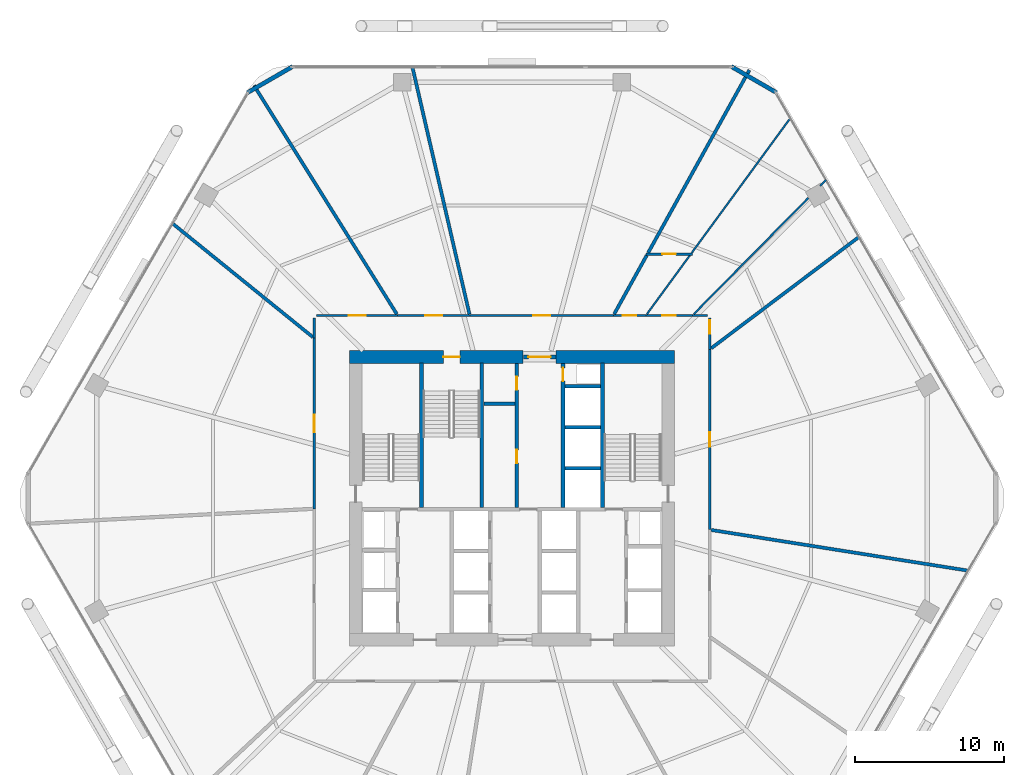
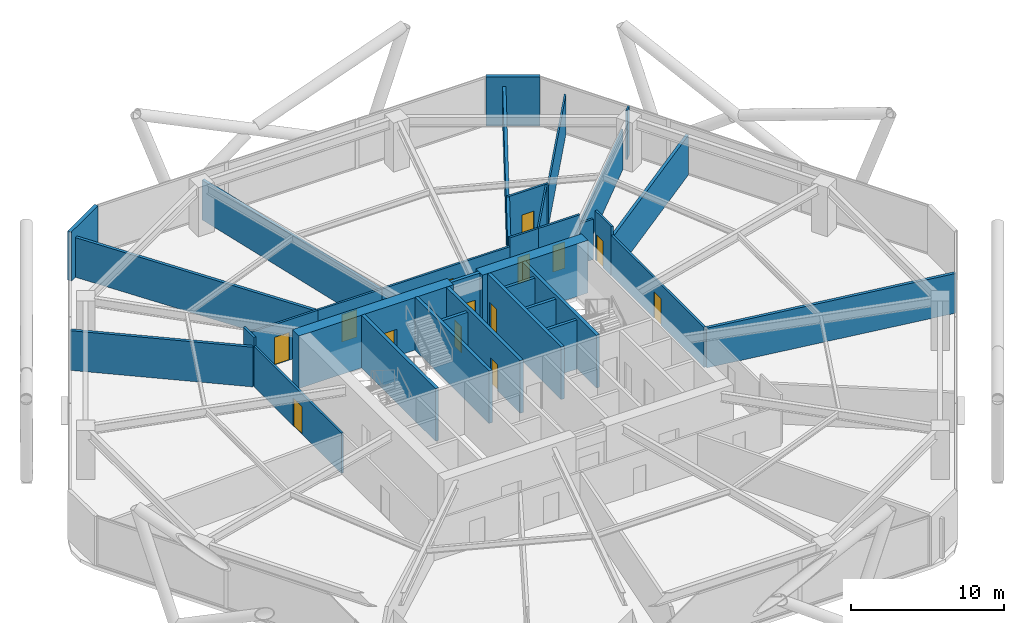
# One storey, part 26 of 30: 36 walls, 14 doors, 14 openings.
"""IFC4 building model written with IfcOpenShell, lengths in metres."""

import ifcopenshell
import ifcopenshell.guid

model = None  # the IFC model being written
_history = None  # IfcOwnerHistory: only IFC2X3 demands one
_inside = {}  # id of a spatial element -> (the spatial element, [elements in it])
_under = {}  # id of a project, library or spatial element -> (it, [spatial elements below it])
_declared = {}  # id of a project -> (the project, [libraries it declares])
_typed = {}  # id of a type object -> (the type object, [elements of that type])
_made_of = {}  # id of a material, layer set ... -> (it, [elements and type objects made of it])


def new_model(schema):
    """Start an empty IFC model of exactly this schema.

    Asked for "IFC4X3", IfcOpenShell would pick the latest addendum, in which some entities
    have other attributes; the version numbers below select the first issue.
    IFC2X3 requires an IfcOwnerHistory on every rooted entity: one is made here for all.
    """
    global model, _history
    if schema == "IFC4X3":
        model = ifcopenshell.file(schema_version=(4, 3, 0, 0))
    else:
        model = ifcopenshell.file(schema=schema)
    _inside.clear()
    _under.clear()
    _declared.clear()
    _typed.clear()
    _made_of.clear()
    _history = None
    if model.schema == "IFC2X3":
        org = make("IfcOrganization", Name="unknown")
        user = make(
            "IfcPersonAndOrganization",
            ThePerson=make("IfcPerson", FamilyName="unknown"),
            TheOrganization=org,
        )
        app = make(
            "IfcApplication",
            ApplicationDeveloper=org,
            Version="unknown",
            ApplicationFullName="unknown",
            ApplicationIdentifier="unknown",
        )
        _history = make(
            "IfcOwnerHistory",
            OwningUser=user,
            OwningApplication=app,
            ChangeAction="ADDED",
            CreationDate=0,
        )
    return model


def make(cls, **values):
    """One entity of the class cls with the attributes given. An attribute that is None is left unset."""
    return model.create_entity(
        cls, **{name: value for name, value in values.items() if value is not None}
    )


def rooted(cls, **values):
    """An entity with a GlobalId (a new one), such as an element, a storey or a relation."""
    return make(cls, GlobalId=ifcopenshell.guid.new(), OwnerHistory=_history, **values)


def si_unit(unit_type, name, prefix=None):
    """IfcSIUnit, for example si_unit("LENGTHUNIT", "METRE", prefix="MILLI")."""
    return make("IfcSIUnit", UnitType=unit_type, Prefix=prefix, Name=name)


def assignment(units):
    """IfcUnitAssignment: the units of a project."""
    return None if units is None else make("IfcUnitAssignment", Units=units)


def point(xyz):
    """IfcCartesianPoint."""
    return None if xyz is None else make("IfcCartesianPoint", Coordinates=xyz)


def direction(xyz):
    """IfcDirection."""
    return None if xyz is None else make("IfcDirection", DirectionRatios=xyz)


def frame(location, z_axis=None, x_axis=None):
    """IfcAxis2Placement3D, a coordinate frame: its origin and axes. An axis left out is left unset."""
    return make(
        "IfcAxis2Placement3D",
        Location=point(location),
        Axis=direction(z_axis),
        RefDirection=direction(x_axis),
    )


def frame_2d(location, x_axis=None):
    """IfcAxis2Placement2D, a coordinate frame in the plane: its origin and x axis."""
    return make(
        "IfcAxis2Placement2D", Location=point(location), RefDirection=direction(x_axis)
    )


def origin():
    """The frame at (0, 0, 0) with its axes left unset."""
    return frame((0.0, 0.0, 0.0))


def place(relative_to, where):
    """IfcLocalPlacement: puts the frame where relative to a parent placement (None: the world)."""
    return make(
        "IfcLocalPlacement", PlacementRelTo=relative_to, RelativePlacement=where
    )


def context(
    kind, dimensions, precision=None, world=None, true_north=None, identifier=None
):
    """IfcGeometricRepresentationContext, for example the 3D "Model" context."""
    return make(
        "IfcGeometricRepresentationContext",
        ContextIdentifier=identifier,
        ContextType=kind,
        CoordinateSpaceDimension=dimensions,
        Precision=precision,
        WorldCoordinateSystem=world,
        TrueNorth=true_north,
    )


def subcontext(parent, identifier, kind, view, scale=None):
    """IfcGeometricRepresentationSubContext, for example "Body" below "Model"."""
    return make(
        "IfcGeometricRepresentationSubContext",
        ContextIdentifier=identifier,
        ContextType=kind,
        ParentContext=parent,
        TargetScale=scale,
        TargetView=view,
    )


def project(units=None, contexts=None):
    """IfcProject with its units and contexts."""
    return rooted(
        "IfcProject",
        Name="project",
        RepresentationContexts=contexts,
        UnitsInContext=assignment(units),
    )


def spatial(cls, under=None, at=None, **own):
    """A site, building, storey or space (cls), placed at a placement, below another one or the project."""
    s = rooted(cls, ObjectPlacement=at, **own)
    if under is not None:
        _under.setdefault(under.id(), (under, []))[1].append(s)
    return s


def profile(cls, at=None, kind="AREA", **sizes):
    """A parametric profile (cls). Its sizes go by their IFC names, for example OverallWidth=200.0."""
    return make(cls, ProfileType=kind, Position=at, **sizes)


def rectangle(**sizes):
    """IfcRectangleProfileDef."""
    return profile("IfcRectangleProfileDef", **sizes)


def extrude(swept, where, along, depth):
    """IfcExtrudedAreaSolid: the profile swept, set in the frame where, extruded along a direction by depth."""
    return make(
        "IfcExtrudedAreaSolid",
        SweptArea=swept,
        Position=where,
        ExtrudedDirection=direction(along),
        Depth=depth,
    )


def shape(context_of_items, identifier, shape_type, items):
    """IfcShapeRepresentation: the items that make up one representation, for example the "Body"."""
    return make(
        "IfcShapeRepresentation",
        ContextOfItems=context_of_items,
        RepresentationIdentifier=identifier,
        RepresentationType=shape_type,
        Items=items,
    )


def material(Name=None, Category=None):
    """IfcMaterial."""
    return make("IfcMaterial", Name=Name, Category=Category)


def layer(
    of_material, thickness, ventilated=None, Name=None, Category=None, Priority=None
):
    """IfcMaterialLayer: one layer of a wall or slab, of a material (None: an air gap)."""
    return make(
        "IfcMaterialLayer",
        Material=of_material,
        LayerThickness=thickness,
        IsVentilated=ventilated,
        Name=Name,
        Category=Category,
        Priority=Priority,
    )


def layer_set(layers, Name=None):
    """IfcMaterialLayerSet."""
    return make("IfcMaterialLayerSet", MaterialLayers=layers, LayerSetName=Name)


def made_of(thing, what):
    """Note that an element or type object is made of a material, layer set ...; save() writes the relation."""
    if what is not None:
        _made_of.setdefault(what.id(), (what, []))[1].append(thing)
    return thing


def type_object(cls, material=None, **own):
    """A type object (cls), such as IfcWallType, which elements share."""
    return made_of(rooted(cls, **own), material)


def element(
    cls,
    number,
    at=None,
    inside=None,
    cuts=None,
    type_object=None,
    material=None,
    context=None,
    identifier="Body",
    shape_type=None,
    held_by="IfcProductDefinitionShape",
    body=None,
    shapes=None,
    **own,
):
    """One element of the class cls, such as IfcWall. Its Tag is "e" and its number.

    at: its placement. inside: the storey or other place that contains it. cuts: it is an
    opening in that element (IfcRelVoidsElement). A single representation is given by context,
    identifier, shape_type and body (its items); several are given by shapes. held_by: the class
    of the entity that holds the representations. save() writes the other relations.
    """
    e = rooted(cls, Tag="e%d" % number, ObjectPlacement=at, **own)
    if body is not None:
        shapes = [shape(context, identifier, shape_type, body)]
    if shapes is not None:
        e.Representation = make(held_by, Representations=shapes)
    if inside is not None:
        _inside.setdefault(inside.id(), (inside, []))[1].append(e)
    if cuts is not None:
        rooted(
            "IfcRelVoidsElement", RelatingBuildingElement=cuts, RelatedOpeningElement=e
        )
    if type_object is not None:
        _typed.setdefault(type_object.id(), (type_object, []))[1].append(e)
    return made_of(e, material)


def fill(opening, filler):
    """IfcRelFillsElement: the door or window that sits in an opening."""
    return rooted(
        "IfcRelFillsElement",
        RelatingOpeningElement=opening,
        RelatedBuildingElement=filler,
    )


def aggregate(whole, parts):
    """IfcRelAggregates: a whole, such as a stair, and the parts it consists of."""
    return rooted("IfcRelAggregates", RelatingObject=whole, RelatedObjects=parts)


def save(model, path):
    """Write the relations noted so far, then the file.

    IfcRelAggregates (storeys below a building ...), IfcRelContainedInSpatialStructure (elements
    in a storey), IfcRelDefinesByType, IfcRelAssociatesMaterial and IfcRelDeclares: one each for
    every whole, place, type object, material and project.
    """
    for whole, parts in _under.values():
        aggregate(whole, parts)
    for where, things in _inside.values():
        rooted(
            "IfcRelContainedInSpatialStructure",
            RelatedElements=things,
            RelatingStructure=where,
        )
    for kind, things in _typed.values():
        rooted("IfcRelDefinesByType", RelatedObjects=things, RelatingType=kind)
    for what, things in _made_of.values():
        rooted("IfcRelAssociatesMaterial", RelatedObjects=things, RelatingMaterial=what)
    for by, libraries in _declared.values():
        rooted("IfcRelDeclares", RelatingContext=by, RelatedDefinitions=libraries)
    model.write(path)


model = new_model("IFC4")

# Units and contexts
model_context = context("Model", 3, precision=1e-05, world=origin(), true_north=direction((0.0, 1.0)))
body_context = subcontext(model_context, "Body", "Model", "MODEL_VIEW")
ifc_project = project(units=[si_unit("LENGTHUNIT", "METRE"), si_unit("AREAUNIT", "SQUARE_METRE"), si_unit("VOLUMEUNIT", "CUBIC_METRE"), si_unit("PLANEANGLEUNIT", "RADIAN"), si_unit("MASSUNIT", "GRAM", prefix="KILO")], contexts=[model_context])

# Site, building, storey
site_placement = place(None, origin())
site = spatial("IfcSite", under=ifc_project, at=site_placement, CompositionType="ELEMENT")
building_placement = place(site_placement, origin())
building = spatial("IfcBuilding", under=site, at=building_placement, Name="Zuhravey Tower", CompositionType="ELEMENT")
storey_placement = place(building_placement, frame((0.0, 0.0, 33.0)))
storey = spatial("IfcBuildingStorey", under=building, at=storey_placement, Name="L08", CompositionType="ELEMENT", Elevation=33.0)

# Wall
ifc_material_1 = material(Name="Concrete C60/75", Category="concrete")
ifc_layer_1 = layer(ifc_material_1, 0.85009765625)
ifc_layer_set_1 = layer_set([ifc_layer_1], Name="Concrete C60/75")
wall_type_1 = type_object("IfcWallType", Name="Core Shear Wall 850", PredefinedType="SHEAR", material=ifc_layer_set_1)
wall_1_placement = place(storey_placement, frame((46.925048828125, 41.5, 0.0), z_axis=(0.0, 0.0, 1.0), x_axis=(-1.0, 0.0, 0.0)))
element("IfcWall", 1, at=wall_1_placement, inside=storey, type_object=wall_type_1, Name="L08 North-East Core Shear Wall CW85", PredefinedType="SHEAR", context=body_context, shape_type="SweptSolid", body=[
    extrude(rectangle(XDim=7.97509765625, YDim=0.85009765625, at=frame_2d((3.987548828125, 0.0))), origin(), (0.0, 0.0, 1.0), 4.199951171875),
])

# Wall, opening, door
wall_2_placement = place(storey_placement, frame((36.75, 41.5, 0.0), z_axis=(0.0, 0.0, 1.0), x_axis=(-1.0, 0.0, 0.0)))
wall_2 = element("IfcWall", 2, at=wall_2_placement, inside=storey, type_object=wall_type_1, Name="L08 North-West Core Shear Wall CW85", PredefinedType="SHEAR", context=body_context, shape_type="SweptSolid", body=[
    extrude(rectangle(XDim=11.675048828125, YDim=0.85009765625, at=frame_2d((5.83740234375, 0.0))), origin(), (0.0, 0.0, 1.0), 4.199951171875),
])
opening_1_placement = place(wall_2_placement, frame((4.25, 0.0, 0.0)))
opening_1 = element("IfcOpeningElement", 3, at=opening_1_placement, cuts=wall_2, Name="Opening STD1", PredefinedType="OPENING", context=body_context, shape_type="SweptSolid", body=[
    extrude(rectangle(XDim=1.10009765625, YDim=2.14990234375, at=frame_2d((0.550048828125, 1.074951171875))), frame((0.0, 0.43701171875, 0.0), z_axis=(0.0, -1.0, 0.0), x_axis=(1.0, 0.0, 0.0)), (0.0, 0.0, 1.0), 0.8740234375),
])
ifc_material_2 = material(Name="Galvanised fire-rated steel leaf", Category="steel")
door_type_1 = type_object("IfcDoorType", Name="Protected Stair Fire Door 1100x2150", OperationType="NOTDEFINED", PredefinedType="USERDEFINED", material=ifc_material_2)
door_1_placement = place(opening_1_placement, origin())
door_1 = element("IfcDoor", 4, at=door_1_placement, inside=storey, type_object=door_type_1, Name="L08 Stair ST3 Door", ObjectType="EXITDOOR", OperationType="SINGLE_SWING_LEFT", OverallHeight=2.14990234375, OverallWidth=1.10009765625, PredefinedType="USERDEFINED", context=body_context, shape_type="SweptSolid", body=[
    extrude(rectangle(XDim=1.10009765625, YDim=2.14990234375, at=frame_2d((0.550048828125, 1.074951171875))), frame((0.0, 0.02490234375, 0.0), z_axis=(0.0, -1.0, 0.0), x_axis=(1.0, 0.0, 0.0)), (0.0, 0.0, 1.0), 0.050048828125),
])
fill(opening_1, door_1)

ifc_material_3 = material(Name="Gypsum fire-rated stud partition")
ifc_layer_2 = layer(ifc_material_3, 0.159912109375)
ifc_layer_set_2 = layer_set([ifc_layer_2], Name="Gypsum fire-rated stud partition")
wall_type_2 = type_object("IfcWallType", Name="Corridor Fire Partition 160", PredefinedType="PARTITIONING", material=ifc_layer_set_2)
wall_3_placement = place(storey_placement, frame((49.284912109375, 42.010986328125, 0.0), z_axis=(0.0, 0.0, 1.0), x_axis=(0.0, 1.0, 0.0)))
wall_3 = element("IfcWall", 5, at=wall_3_placement, inside=storey, type_object=wall_type_2, Name="L08 IW16 Partition 019", PredefinedType="PARTITIONING", context=body_context, shape_type="SweptSolid", body=[
    extrude(rectangle(XDim=2.114013671875, YDim=0.159912109375, at=frame_2d((1.05712890625, 0.0))), origin(), (0.0, 0.0, 1.0), 3.919921875),
])
opening_2_placement = place(wall_3_placement, frame((1.047119140625, 0.0, 0.0)))
opening_2 = element("IfcOpeningElement", 6, at=opening_2_placement, cuts=wall_3, Name="Opening RSD1", PredefinedType="OPENING", context=body_context, shape_type="SweptSolid", body=[
    extrude(rectangle(XDim=0.89990234375, YDim=2.10009765625, at=frame_2d((0.449951171875, 1.050048828125))), frame((0.0, 0.092041015625, 0.0), z_axis=(0.0, -1.0, 0.0), x_axis=(1.0, 0.0, 0.0)), (0.0, 0.0, 1.0), 0.183837890625),
])
ifc_material_4 = material(Name="Galvanised fire-rated steel access leaf", Category="steel")
door_type_2 = type_object("IfcDoorType", Name="Riser & Shaft Access Fire Door 900x2100", OperationType="NOTDEFINED", PredefinedType="DOOR", material=ifc_material_4)
door_2_placement = place(opening_2_placement, frame((0.89990234375, 0.0, 0.0), z_axis=(0.0, 0.0, 1.0), x_axis=(-1.0, 0.0, 0.0)))
door_2 = element("IfcDoor", 7, at=door_2_placement, inside=storey, type_object=door_type_2, Name="L08 Door 019.1", OperationType="SINGLE_SWING_LEFT", OverallHeight=2.10009765625, OverallWidth=0.89990234375, PredefinedType="DOOR", context=body_context, shape_type="SweptSolid", body=[
    extrude(rectangle(XDim=0.89990234375, YDim=2.10009765625, at=frame_2d((0.449951171875, 1.050048828125))), frame((0.0, 0.02490234375, 0.0), z_axis=(0.0, -1.0, 0.0), x_axis=(1.0, 0.0, 0.0)), (0.0, 0.0, 1.0), 0.050048828125),
])
fill(opening_2, door_2)

wall_4_placement = place(storey_placement, frame((48.11474609375, 44.284912109375, 0.0), z_axis=(0.0, 0.0, 1.0), x_axis=(-1.0, 0.0, 0.0)))
wall_4 = element("IfcWall", 8, at=wall_4_placement, inside=storey, type_object=wall_type_2, Name="L08 IW16 Partition 020", PredefinedType="PARTITIONING", context=body_context, shape_type="SweptSolid", body=[
    extrude(rectangle(XDim=3.12353515625, YDim=0.159912109375, at=frame_2d((1.561767578125, 0.0))), origin(), (0.0, 0.0, 1.0), 3.919921875),
])
opening_3_placement = place(wall_4_placement, frame((1.11181640625, 0.0, 0.0)))
opening_3 = element("IfcOpeningElement", 9, at=opening_3_placement, cuts=wall_4, Name="Opening RSD1", PredefinedType="OPENING", context=body_context, shape_type="SweptSolid", body=[
    extrude(rectangle(XDim=0.89990234375, YDim=2.10009765625, at=frame_2d((0.449951171875, 1.050048828125))), frame((0.0, 0.092041015625, 0.0), z_axis=(0.0, -1.0, 0.0), x_axis=(1.0, 0.0, 0.0)), (0.0, 0.0, 1.0), 0.183837890625),
])
door_3_placement = place(opening_3_placement, frame((0.89990234375, 0.0, 0.0), z_axis=(0.0, 0.0, 1.0), x_axis=(-1.0, 0.0, 0.0)))
door_3 = element("IfcDoor", 10, at=door_3_placement, inside=storey, type_object=door_type_2, Name="L08 Door 020.1", OperationType="SINGLE_SWING_RIGHT", OverallHeight=2.10009765625, OverallWidth=0.89990234375, PredefinedType="DOOR", context=body_context, shape_type="SweptSolid", body=[
    extrude(rectangle(XDim=0.89990234375, YDim=2.10009765625, at=frame_2d((0.449951171875, 1.050048828125))), frame((0.0, 0.02490234375, 0.0), z_axis=(0.0, -1.0, 0.0), x_axis=(1.0, 0.0, 0.0)), (0.0, 0.0, 1.0), 0.050048828125),
])
fill(opening_3, door_3)

wall_5_placement = place(storey_placement, frame((45.001953125, 48.405029296875, 0.0), z_axis=(0.0, 0.0, 1.0), x_axis=(1.0, 0.0, 0.0)))
wall_5 = element("IfcWall", 11, at=wall_5_placement, inside=storey, type_object=wall_type_2, Name="L08 IW16 Partition 021", PredefinedType="PARTITIONING", context=body_context, shape_type="SweptSolid", body=[
    extrude(rectangle(XDim=3.103759765625, YDim=0.159912109375, at=frame_2d((1.5517578125, 0.0))), origin(), (0.0, 0.0, 1.0), 3.919921875),
])
opening_4_placement = place(wall_5_placement, frame((1.101806640625, 0.0, 0.0)))
opening_4 = element("IfcOpeningElement", 12, at=opening_4_placement, cuts=wall_5, Name="Opening RSD1", PredefinedType="OPENING", context=body_context, shape_type="SweptSolid", body=[
    extrude(rectangle(XDim=0.89990234375, YDim=2.10009765625, at=frame_2d((0.449951171875, 1.050048828125))), frame((0.0, 0.092041015625, 0.0), z_axis=(0.0, -1.0, 0.0), x_axis=(1.0, 0.0, 0.0)), (0.0, 0.0, 1.0), 0.183837890625),
])
door_4_placement = place(opening_4_placement, origin())
door_4 = element("IfcDoor", 13, at=door_4_placement, inside=storey, type_object=door_type_2, Name="L08 Door 021.1", OperationType="SINGLE_SWING_LEFT", OverallHeight=2.10009765625, OverallWidth=0.89990234375, PredefinedType="DOOR", context=body_context, shape_type="SweptSolid", body=[
    extrude(rectangle(XDim=0.89990234375, YDim=2.10009765625, at=frame_2d((0.449951171875, 1.050048828125))), frame((0.0, 0.02490234375, 0.0), z_axis=(0.0, -1.0, 0.0), x_axis=(1.0, 0.0, 0.0)), (0.0, 0.0, 1.0), 0.050048828125),
])
fill(opening_4, door_4)

wall_6_placement = place(storey_placement, frame((44.9912109375, 44.284912109375, 0.0), z_axis=(0.0, 0.0, 1.0), x_axis=(-1.0, 0.0, 0.0)))
wall_6 = element("IfcWall", 14, at=wall_6_placement, inside=storey, type_object=wall_type_2, Name="L08 IW16 Partition 022", PredefinedType="PARTITIONING", context=body_context, shape_type="SweptSolid", body=[
    extrude(rectangle(XDim=2.181396484375, YDim=0.159912109375, at=frame_2d((1.0908203125, 0.0))), origin(), (0.0, 0.0, 1.0), 3.919921875),
])
opening_5_placement = place(wall_6_placement, frame((0.640869140625, 0.0, 0.0)))
opening_5 = element("IfcOpeningElement", 15, at=opening_5_placement, cuts=wall_6, Name="Opening RSD1", PredefinedType="OPENING", context=body_context, shape_type="SweptSolid", body=[
    extrude(rectangle(XDim=0.89990234375, YDim=2.10009765625, at=frame_2d((0.449951171875, 1.050048828125))), frame((0.0, 0.092041015625, 0.0), z_axis=(0.0, -1.0, 0.0), x_axis=(1.0, 0.0, 0.0)), (0.0, 0.0, 1.0), 0.183837890625),
])
door_5_placement = place(opening_5_placement, frame((0.89990234375, 0.0, 0.0), z_axis=(0.0, 0.0, 1.0), x_axis=(-1.0, 0.0, 0.0)))
door_5 = element("IfcDoor", 16, at=door_5_placement, inside=storey, type_object=door_type_2, Name="L08 Door 022.1", OperationType="SINGLE_SWING_RIGHT", OverallHeight=2.10009765625, OverallWidth=0.89990234375, PredefinedType="DOOR", context=body_context, shape_type="SweptSolid", body=[
    extrude(rectangle(XDim=0.89990234375, YDim=2.10009765625, at=frame_2d((0.449951171875, 1.050048828125))), frame((0.0, 0.02490234375, 0.0), z_axis=(0.0, -1.0, 0.0), x_axis=(1.0, 0.0, 0.0)), (0.0, 0.0, 1.0), 0.050048828125),
])
fill(opening_5, door_5)

wall_7_placement = place(storey_placement, frame((42.809814453125, 44.284912109375, 0.0), z_axis=(0.0, 0.0, 1.0), x_axis=(-1.0, 0.0, 0.0)))
wall_7 = element("IfcWall", 17, at=wall_7_placement, inside=storey, type_object=wall_type_2, Name="L08 IW16 Partition 023", PredefinedType="PARTITIONING", context=body_context, shape_type="SweptSolid", body=[
    extrude(rectangle(XDim=9.64599609375, YDim=0.159912109375, at=frame_2d((4.822998046875, 0.0))), origin(), (0.0, 0.0, 1.0), 3.219970703125),
])
opening_6_placement = place(wall_7_placement, frame((4.247802734375, 0.0, 0.0)))
opening_6 = element("IfcOpeningElement", 18, at=opening_6_placement, cuts=wall_7, Name="Opening CLD1", PredefinedType="OPENING", context=body_context, shape_type="SweptSolid", body=[
    extrude(rectangle(XDim=1.14990234375, YDim=2.199951171875, at=frame_2d((0.574951171875, 1.10009765625))), frame((0.0, 0.092041015625, 0.0), z_axis=(0.0, -1.0, 0.0), x_axis=(1.0, 0.0, 0.0)), (0.0, 0.0, 1.0), 0.183837890625),
])
ifc_material_5 = material(Name="Acoustic timber leaf with vision lite", Category="wood")
door_type_3 = type_object("IfcDoorType", Name="Classroom Acoustic Door 1150x2200", OperationType="NOTDEFINED", PredefinedType="DOOR", material=ifc_material_5)
door_6_placement = place(opening_6_placement, frame((1.14990234375, 0.0, 0.0), z_axis=(0.0, 0.0, 1.0), x_axis=(-1.0, 0.0, 0.0)))
door_6 = element("IfcDoor", 19, at=door_6_placement, inside=storey, type_object=door_type_3, Name="L08 Door 023.1", OperationType="SINGLE_SWING_LEFT", OverallHeight=2.199951171875, OverallWidth=1.14990234375, PredefinedType="DOOR", context=body_context, shape_type="SweptSolid", body=[
    extrude(rectangle(XDim=1.14990234375, YDim=2.199951171875, at=frame_2d((0.574951171875, 1.10009765625))), frame((0.0, 0.02490234375, 0.0), z_axis=(0.0, -1.0, 0.0), x_axis=(1.0, 0.0, 0.0)), (0.0, 0.0, 1.0), 0.050048828125),
])
fill(opening_6, door_6)

wall_8_placement = place(storey_placement, frame((33.163818359375, 44.284912109375, 0.0), z_axis=(0.0, 0.0, 1.0), x_axis=(-1.0, 0.0, 0.0)))
wall_8 = element("IfcWall", 20, at=wall_8_placement, inside=storey, type_object=wall_type_2, Name="L08 IW16 Partition 024", PredefinedType="PARTITIONING", context=body_context, shape_type="SweptSolid", body=[
    extrude(rectangle(XDim=4.84033203125, YDim=0.159912109375, at=frame_2d((2.420166015625, 0.0))), origin(), (0.0, 0.0, 1.0), 3.219970703125),
])
opening_7_placement = place(wall_8_placement, frame((1.84521484375, 0.0, 0.0)))
opening_7 = element("IfcOpeningElement", 21, at=opening_7_placement, cuts=wall_8, Name="Opening CLD1", PredefinedType="OPENING", context=body_context, shape_type="SweptSolid", body=[
    extrude(rectangle(XDim=1.14990234375, YDim=2.199951171875, at=frame_2d((0.574951171875, 1.10009765625))), frame((0.0, 0.092041015625, 0.0), z_axis=(0.0, -1.0, 0.0), x_axis=(1.0, 0.0, 0.0)), (0.0, 0.0, 1.0), 0.183837890625),
])
door_7_placement = place(opening_7_placement, frame((1.14990234375, 0.0, 0.0), z_axis=(0.0, 0.0, 1.0), x_axis=(-1.0, 0.0, 0.0)))
door_7 = element("IfcDoor", 22, at=door_7_placement, inside=storey, type_object=door_type_3, Name="L08 Door 024.1", OperationType="SINGLE_SWING_RIGHT", OverallHeight=2.199951171875, OverallWidth=1.14990234375, PredefinedType="DOOR", context=body_context, shape_type="SweptSolid", body=[
    extrude(rectangle(XDim=1.14990234375, YDim=2.199951171875, at=frame_2d((0.574951171875, 1.10009765625))), frame((0.0, 0.02490234375, 0.0), z_axis=(0.0, -1.0, 0.0), x_axis=(1.0, 0.0, 0.0)), (0.0, 0.0, 1.0), 0.050048828125),
])
fill(opening_7, door_7)

wall_9_placement = place(storey_placement, frame((28.323486328125, 44.284912109375, 0.0), z_axis=(0.0, 0.0, 1.0), x_axis=(-1.0, 0.0, 0.0)))
wall_9 = element("IfcWall", 23, at=wall_9_placement, inside=storey, type_object=wall_type_2, Name="L08 IW16 Partition 025", PredefinedType="PARTITIONING", context=body_context, shape_type="SweptSolid", body=[
    extrude(rectangle(XDim=5.448486328125, YDim=0.159912109375, at=frame_2d((2.72412109375, 0.0))), origin(), (0.0, 0.0, 1.0), 3.219970703125),
])
opening_8_placement = place(wall_9_placement, frame((2.149169921875, 0.0, 0.0)))
opening_8 = element("IfcOpeningElement", 24, at=opening_8_placement, cuts=wall_9, Name="Opening CLD1", PredefinedType="OPENING", context=body_context, shape_type="SweptSolid", body=[
    extrude(rectangle(XDim=1.14990234375, YDim=2.199951171875, at=frame_2d((0.574951171875, 1.10009765625))), frame((0.0, 0.092041015625, 0.0), z_axis=(0.0, -1.0, 0.0), x_axis=(1.0, 0.0, 0.0)), (0.0, 0.0, 1.0), 0.183837890625),
])
door_8_placement = place(opening_8_placement, frame((1.14990234375, 0.0, 0.0), z_axis=(0.0, 0.0, 1.0), x_axis=(-1.0, 0.0, 0.0)))
door_8 = element("IfcDoor", 25, at=door_8_placement, inside=storey, type_object=door_type_3, Name="L08 Door 025.1", OperationType="SINGLE_SWING_LEFT", OverallHeight=2.199951171875, OverallWidth=1.14990234375, PredefinedType="DOOR", context=body_context, shape_type="SweptSolid", body=[
    extrude(rectangle(XDim=1.14990234375, YDim=2.199951171875, at=frame_2d((0.574951171875, 1.10009765625))), frame((0.0, 0.02490234375, 0.0), z_axis=(0.0, -1.0, 0.0), x_axis=(1.0, 0.0, 0.0)), (0.0, 0.0, 1.0), 0.050048828125),
])
fill(opening_8, door_8)

wall_10_placement = place(storey_placement, frame((22.715087890625, 42.758056640625, 0.0), z_axis=(0.0, 0.0, 1.0), x_axis=(0.0, -1.0, 0.0)))
wall_10 = element("IfcWall", 26, at=wall_10_placement, inside=storey, type_object=wall_type_2, Name="L08 IW16 Partition 026", PredefinedType="PARTITIONING", context=body_context, shape_type="SweptSolid", body=[
    extrude(rectangle(XDim=11.454345703125, YDim=0.159912109375, at=frame_2d((5.72705078125, 0.0))), origin(), (0.0, 0.0, 1.0), 3.219970703125),
])
opening_9_placement = place(wall_10_placement, frame((5.152099609375, 0.0, 0.0)))
opening_9 = element("IfcOpeningElement", 27, at=opening_9_placement, cuts=wall_10, Name="Opening CLD1", PredefinedType="OPENING", context=body_context, shape_type="SweptSolid", body=[
    extrude(rectangle(XDim=1.14990234375, YDim=2.199951171875, at=frame_2d((0.574951171875, 1.10009765625))), frame((0.0, 0.092041015625, 0.0), z_axis=(0.0, -1.0, 0.0), x_axis=(1.0, 0.0, 0.0)), (0.0, 0.0, 1.0), 0.183837890625),
])
door_9_placement = place(opening_9_placement, frame((1.14990234375, 0.0, 0.0), z_axis=(0.0, 0.0, 1.0), x_axis=(-1.0, 0.0, 0.0)))
door_9 = element("IfcDoor", 28, at=door_9_placement, inside=storey, type_object=door_type_3, Name="L08 Door 026.1", OperationType="SINGLE_SWING_RIGHT", OverallHeight=2.199951171875, OverallWidth=1.14990234375, PredefinedType="DOOR", context=body_context, shape_type="SweptSolid", body=[
    extrude(rectangle(XDim=1.14990234375, YDim=2.199951171875, at=frame_2d((0.574951171875, 1.10009765625))), frame((0.0, 0.02490234375, 0.0), z_axis=(0.0, -1.0, 0.0), x_axis=(1.0, 0.0, 0.0)), (0.0, 0.0, 1.0), 0.050048828125),
])
fill(opening_9, door_9)

wall_11_placement = place(storey_placement, frame((49.284912109375, 29.89599609375, 0.0), z_axis=(0.0, 0.0, 1.0), x_axis=(0.0, 1.0, 0.0)))
wall_11 = element("IfcWall", 29, at=wall_11_placement, inside=storey, type_object=wall_type_2, Name="L08 IW16 Partition 033", PredefinedType="PARTITIONING", context=body_context, shape_type="SweptSolid", body=[
    extrude(rectangle(XDim=12.114990234375, YDim=0.159912109375, at=frame_2d((6.0576171875, 0.0))), origin(), (0.0, 0.0, 1.0), 3.219970703125),
])
opening_10_placement = place(wall_11_placement, frame((5.58251953125, 0.0, 0.0)))
opening_10 = element("IfcOpeningElement", 30, at=opening_10_placement, cuts=wall_11, Name="Opening IND1", PredefinedType="OPENING", context=body_context, shape_type="SweptSolid", body=[
    extrude(rectangle(XDim=0.949951171875, YDim=2.10009765625, at=frame_2d((0.47509765625, 1.050048828125))), frame((0.0, 0.092041015625, 0.0), z_axis=(0.0, -1.0, 0.0), x_axis=(1.0, 0.0, 0.0)), (0.0, 0.0, 1.0), 0.183837890625),
])
ifc_material_6 = material(Name="Painted engineered timber leaf", Category="wood")
door_type_4 = type_object("IfcDoorType", Name="Internal Room & Bedroom Door 950x2100", OperationType="NOTDEFINED", PredefinedType="DOOR", material=ifc_material_6)
door_10_placement = place(opening_10_placement, frame((0.949951171875, 0.0, 0.0), z_axis=(0.0, 0.0, 1.0), x_axis=(-1.0, 0.0, 0.0)))
door_10 = element("IfcDoor", 31, at=door_10_placement, inside=storey, type_object=door_type_4, Name="L08 Door 033.1", OperationType="SINGLE_SWING_LEFT", OverallHeight=2.10009765625, OverallWidth=0.949951171875, PredefinedType="DOOR", context=body_context, shape_type="SweptSolid", body=[
    extrude(rectangle(XDim=0.949951171875, YDim=2.10009765625, at=frame_2d((0.47509765625, 1.050048828125))), frame((0.0, 0.02490234375, 0.0), z_axis=(0.0, -1.0, 0.0), x_axis=(1.0, 0.0, 0.0)), (0.0, 0.0, 1.0), 0.050048828125),
])
fill(opening_10, door_10)

# Walls
wall_12_placement = place(storey_placement, frame((49.125, 44.284912109375, 0.0), z_axis=(0.0, 0.0, 1.0), x_axis=(-1.0, 0.0, 0.0)))
element("IfcWall", 32, at=wall_12_placement, inside=storey, type_object=wall_type_2, Name="L08 IW16 Partition 043", PredefinedType="PARTITIONING", context=body_context, shape_type="SweptSolid", body=[
    extrude(rectangle(XDim=1.01025390625, YDim=0.159912109375, at=frame_2d((0.505126953125, 0.0))), origin(), (0.0, 0.0, 1.0), 3.219970703125),
])
wall_13_placement = place(storey_placement, frame((22.715087890625, 44.125, 0.0), z_axis=(0.0, 0.0, 1.0), x_axis=(0.0, -1.0, 0.0)))
element("IfcWall", 33, at=wall_13_placement, inside=storey, type_object=wall_type_2, Name="L08 IW16 Partition 052", PredefinedType="PARTITIONING", context=body_context, shape_type="SweptSolid", body=[
    extrude(rectangle(XDim=1.366943359375, YDim=0.159912109375, at=frame_2d((0.68359375, 0.0))), origin(), (0.0, 0.0, 1.0), 3.919921875),
])
ifc_material_7 = material(Name="Precast concrete C40/50", Category="concrete")
ifc_layer_3 = layer(ifc_material_7, 0.280029296875)
ifc_layer_set_3 = layer_set([ifc_layer_3], Name="Precast concrete C40/50")
wall_type_3 = type_object("IfcWallType", Name="Crown Architectural Wall 280", PredefinedType="SOLIDWALL", material=ifc_layer_set_3)
for number, where, z_axis, x_axis, name in (
    (34, (18.23876953125, 59.24853515625, 0.0), (0.0, 0.0, 1.0), (0.866007452331, 0.500031091541, 0.0), "L08 Rounded Corner Closure Wall EW28-08"),
    (35, (50.71728515625, 61.006103515625, 0.0), (0.0, 0.0, 1.0), (0.866007452331, -0.500031091541, 0.0), "L08 Rounded Corner Closure Wall EW28-10"),
):
    element("IfcWall", number, at=place(storey_placement, frame(where, z_axis=z_axis, x_axis=x_axis)), inside=storey, type_object=wall_type_3, Name=name, PredefinedType="SOLIDWALL", context=body_context, shape_type="SweptSolid", body=[
        extrude(rectangle(XDim=3.514892578125, YDim=0.280029296875, at=frame_2d((1.75732421875, 0.0))), origin(), (0.0, 0.0, 1.0), 3.919921875),
    ])

# Wall, opening, door
ifc_material_8 = material(Name="Concrete C50/60", Category="concrete")
ifc_layer_4 = layer(ifc_material_8, 0.25)
ifc_layer_set_4 = layer_set([ifc_layer_4], Name="Concrete C50/60")
wall_type_4 = type_object("IfcWallType", Name="Firefighting Shaft & Stair Wall 250", PredefinedType="SOLIDWALL", material=ifc_layer_set_4)
wall_14_placement = place(storey_placement, frame((36.760009765625, 41.5, 0.0), z_axis=(0.0, 0.0, 1.0), x_axis=(1.0, 0.0, 0.0)))
wall_14 = element("IfcWall", 36, at=wall_14_placement, inside=storey, type_object=wall_type_4, Name="L08 FW25 Shaft Wall 002", PredefinedType="SOLIDWALL", context=body_context, shape_type="SweptSolid", body=[
    extrude(rectangle(XDim=2.179931640625, YDim=0.25, at=frame_2d((1.08984375, 0.0))), origin(), (0.0, 0.0, 1.0), 4.199951171875),
])
opening_11_placement = place(wall_14_placement, frame((0.340087890625, 0.0, 0.0)))
opening_11 = element("IfcOpeningElement", 37, at=opening_11_placement, cuts=wall_14, Name="Opening FFD1", PredefinedType="OPENING", context=body_context, shape_type="SweptSolid", body=[
    extrude(rectangle(XDim=1.5, YDim=2.14990234375, at=frame_2d((0.75, 1.074951171875))), frame((0.0, 0.136962890625, 0.0), z_axis=(0.0, -1.0, 0.0), x_axis=(1.0, 0.0, 0.0)), (0.0, 0.0, 1.0), 0.27392578125),
])
door_type_5 = type_object("IfcDoorType", Name="Firefighting Lobby Double Door 1500x2150", OperationType="DOUBLE_DOOR_SINGLE_SWING", PredefinedType="DOOR", material=ifc_material_2)
door_11_placement = place(opening_11_placement, origin())
door_11 = element("IfcDoor", 38, at=door_11_placement, inside=storey, type_object=door_type_5, Name="L08 North Lift Lobby Exit Door", OperationType="DOUBLE_DOOR_SINGLE_SWING", OverallHeight=2.14990234375, OverallWidth=1.5, PredefinedType="DOOR", context=body_context, shape_type="SweptSolid", body=[
    extrude(rectangle(XDim=1.5, YDim=2.14990234375, at=frame_2d((0.75, 1.074951171875))), frame((0.0, 0.02490234375, 0.0), z_axis=(0.0, -1.0, 0.0), x_axis=(1.0, 0.0, 0.0)), (0.0, 0.0, 1.0), 0.050048828125),
])
fill(opening_11, door_11)

# Walls
for number, where, z_axis, x_axis, name in (
    (39, (29.925048828125, 31.39990234375, 0.0), (0.0, 0.0, 1.0), (0.0, 1.0, 0.0), "L08 FW25 Shaft Wall 004"),
    (40, (33.97509765625, 31.39990234375, 0.0), (0.0, 0.0, 1.0), (0.0, 1.0, 0.0), "L08 FW25 Shaft Wall 005"),
    (41, (42.074951171875, 31.39990234375, 0.0), (0.0, 0.0, 1.0), (0.0, 1.0, 0.0), "L08 FW25 Shaft Wall 006"),
):
    element("IfcWall", number, at=place(storey_placement, frame(where, z_axis=z_axis, x_axis=x_axis)), inside=storey, type_object=wall_type_4, Name=name, PredefinedType="SOLIDWALL", context=body_context, shape_type="SweptSolid", body=[
        extrude(rectangle(XDim=9.7001953125, YDim=0.25, at=frame_2d((4.85009765625, 0.0))), origin(), (0.0, 0.0, 1.0), 4.199951171875),
    ])

# Wall, openings, doors
wall_15_placement = place(storey_placement, frame((36.324951171875, 31.39990234375, 0.0), z_axis=(0.0, 0.0, 1.0), x_axis=(0.0, 1.0, 0.0)))
wall_15 = element("IfcWall", 42, at=wall_15_placement, inside=storey, type_object=wall_type_4, Name="L08 FW25 Shaft Wall 007", PredefinedType="SOLIDWALL", context=body_context, shape_type="SweptSolid", body=[
    extrude(rectangle(XDim=9.650146484375, YDim=0.25, at=frame_2d((4.8251953125, 0.0))), origin(), (0.0, 0.0, 1.0), 4.199951171875),
])
opening_12_placement = place(wall_15_placement, frame((2.965087890625, 0.0, 0.0)))
opening_12 = element("IfcOpeningElement", 43, at=opening_12_placement, cuts=wall_15, Name="Opening RSD1", PredefinedType="OPENING", context=body_context, shape_type="SweptSolid", body=[
    extrude(rectangle(XDim=0.89990234375, YDim=2.10009765625, at=frame_2d((0.449951171875, 1.050048828125))), frame((0.0, 0.136962890625, 0.0), z_axis=(0.0, -1.0, 0.0), x_axis=(1.0, 0.0, 0.0)), (0.0, 0.0, 1.0), 0.27392578125),
])
opening_13_placement = place(wall_15_placement, frame((7.885009765625, 0.0, 0.0)))
opening_13 = element("IfcOpeningElement", 44, at=opening_13_placement, cuts=wall_15, Name="Opening RSD1", PredefinedType="OPENING", context=body_context, shape_type="SweptSolid", body=[
    extrude(rectangle(XDim=0.89990234375, YDim=2.10009765625, at=frame_2d((0.449951171875, 1.050048828125))), frame((0.0, 0.136962890625, 0.0), z_axis=(0.0, -1.0, 0.0), x_axis=(1.0, 0.0, 0.0)), (0.0, 0.0, 1.0), 0.27392578125),
])
door_12_placement = place(opening_12_placement, origin())
door_12 = element("IfcDoor", 45, at=door_12_placement, inside=storey, type_object=door_type_2, Name="L08 Equipment and Refuse Store Door", OperationType="SINGLE_SWING_LEFT", OverallHeight=2.10009765625, OverallWidth=0.89990234375, PredefinedType="DOOR", context=body_context, shape_type="SweptSolid", body=[
    extrude(rectangle(XDim=0.89990234375, YDim=2.10009765625, at=frame_2d((0.449951171875, 1.050048828125))), frame((0.0, 0.02490234375, 0.0), z_axis=(0.0, -1.0, 0.0), x_axis=(1.0, 0.0, 0.0)), (0.0, 0.0, 1.0), 0.050048828125),
])
fill(opening_12, door_12)
door_13_placement = place(opening_13_placement, origin())
door_13 = element("IfcDoor", 46, at=door_13_placement, inside=storey, type_object=door_type_2, Name="L08 BMS Control Room Door", OperationType="SINGLE_SWING_RIGHT", OverallHeight=2.10009765625, OverallWidth=0.89990234375, PredefinedType="DOOR", context=body_context, shape_type="SweptSolid", body=[
    extrude(rectangle(XDim=0.89990234375, YDim=2.10009765625, at=frame_2d((0.449951171875, 1.050048828125))), frame((0.0, 0.02490234375, 0.0), z_axis=(0.0, -1.0, 0.0), x_axis=(1.0, 0.0, 0.0)), (0.0, 0.0, 1.0), 0.050048828125),
])
fill(opening_13, door_13)

# Wall, opening, door
wall_16_placement = place(storey_placement, frame((39.425048828125, 31.39990234375, 0.0), z_axis=(0.0, 0.0, 1.0), x_axis=(0.0, 1.0, 0.0)))
wall_16 = element("IfcWall", 47, at=wall_16_placement, inside=storey, type_object=wall_type_4, Name="L08 FW25 Shaft Wall 008", PredefinedType="SOLIDWALL", context=body_context, shape_type="SweptSolid", body=[
    extrude(rectangle(XDim=9.650146484375, YDim=0.25, at=frame_2d((4.8251953125, 0.0))), origin(), (0.0, 0.0, 1.0), 4.199951171875),
])
opening_14_placement = place(wall_16_placement, frame((8.469970703125, 0.0, 0.0)))
opening_14 = element("IfcOpeningElement", 48, at=opening_14_placement, cuts=wall_16, Name="Opening RSD1", PredefinedType="OPENING", context=body_context, shape_type="SweptSolid", body=[
    extrude(rectangle(XDim=0.89990234375, YDim=2.10009765625, at=frame_2d((0.449951171875, 1.050048828125))), frame((0.0, 0.136962890625, 0.0), z_axis=(0.0, -1.0, 0.0), x_axis=(1.0, 0.0, 0.0)), (0.0, 0.0, 1.0), 0.27392578125),
])
door_14_placement = place(opening_14_placement, origin())
door_14 = element("IfcDoor", 49, at=door_14_placement, inside=storey, type_object=door_type_2, Name="L08 North Riser Door", OperationType="SINGLE_SWING_LEFT", OverallHeight=2.10009765625, OverallWidth=0.89990234375, PredefinedType="DOOR", context=body_context, shape_type="SweptSolid", body=[
    extrude(rectangle(XDim=0.89990234375, YDim=2.10009765625, at=frame_2d((0.449951171875, 1.050048828125))), frame((0.0, 0.02490234375, 0.0), z_axis=(0.0, -1.0, 0.0), x_axis=(1.0, 0.0, 0.0)), (0.0, 0.0, 1.0), 0.050048828125),
])
fill(opening_14, door_14)

# Walls
ifc_material_9 = material(Name="Gypsum acoustic stud assembly")
ifc_layer_5 = layer(ifc_material_9, 0.219970703125)
ifc_layer_set_5 = layer_set([ifc_layer_5], Name="Gypsum acoustic stud assembly")
wall_type_5 = type_object("IfcWallType", Name="School Acoustic Compartment Wall 220", PredefinedType="PARTITIONING", material=ifc_layer_set_5)
wall_17_placement = place(storey_placement, frame((34.10791015625, 38.35009765625, 0.0), z_axis=(0.0, 0.0, 1.0), x_axis=(1.0, 0.0, 0.0)))
element("IfcWall", 50, at=wall_17_placement, inside=storey, type_object=wall_type_5, Name="L08 IW22 Partition 034", PredefinedType="PARTITIONING", context=body_context, shape_type="SweptSolid", body=[
    extrude(rectangle(XDim=2.083984375, YDim=0.219970703125, at=frame_2d((1.0419921875, 0.0))), origin(), (0.0, 0.0, 1.0), 3.919921875),
])
for number, where, z_axis, x_axis, name in (
    (51, (39.55810546875, 34.02490234375, 0.0), (0.0, 0.0, 1.0), (1.0, 0.0, 0.0), "L08 IW22 Partition 035"),
    (52, (39.55810546875, 36.77490234375, 0.0), (0.0, 0.0, 1.0), (1.0, 0.0, 0.0), "L08 IW22 Partition 036"),
    (53, (39.55810546875, 39.52490234375, 0.0), (0.0, 0.0, 1.0), (1.0, 0.0, 0.0), "L08 IW22 Partition 037"),
):
    element("IfcWall", number, at=place(storey_placement, frame(where, z_axis=z_axis, x_axis=x_axis)), inside=storey, type_object=wall_type_5, Name=name, PredefinedType="PARTITIONING", context=body_context, shape_type="SweptSolid", body=[
        extrude(rectangle(XDim=2.3837890625, YDim=0.219970703125, at=frame_2d((1.19189453125, 0.0))), origin(), (0.0, 0.0, 1.0), 3.919921875),
    ])
wall_18_placement = place(storey_placement, frame((49.373046875, 42.077392578125, 0.0), z_axis=(0.0, 0.0, 1.0), x_axis=(0.798630996951, 0.601821012187, 0.0)))
element("IfcWall", 54, at=wall_18_placement, inside=storey, type_object=wall_type_5, Name="L08 IW22 Partition 042", PredefinedType="PARTITIONING", context=body_context, shape_type="SweptSolid", body=[
    extrude(rectangle(XDim=12.430908203125, YDim=0.219970703125, at=frame_2d((6.21533203125, 0.0))), origin(), (0.0, 0.0, 1.0), 3.169921875),
])
wall_19_placement = place(storey_placement, frame((42.8583984375, 44.373046875, 0.0), z_axis=(0.0, 0.0, 1.0), x_axis=(0.484838262691, 0.87460382976, 0.0)))
element("IfcWall", 55, at=wall_19_placement, inside=storey, type_object=wall_type_5, Name="L08 IW22 Partition 048", PredefinedType="PARTITIONING", context=body_context, shape_type="SweptSolid", body=[
    extrude(rectangle(XDim=4.50927734375, YDim=0.219970703125, at=frame_2d((2.254638671875, 0.0))), origin(), (0.0, 0.0, 1.0), 3.919921875),
])
wall_20_placement = place(storey_placement, frame((45.14208984375, 48.492919921875, 0.0), z_axis=(0.0, 0.0, 1.0), x_axis=(0.484815156974, 0.874616638058, 0.0)))
element("IfcWall", 56, at=wall_20_placement, inside=storey, type_object=wall_type_5, Name="L08 IW22 Partition 049", PredefinedType="PARTITIONING", context=body_context, shape_type="SweptSolid", body=[
    extrude(rectangle(XDim=14.027099609375, YDim=0.219970703125, at=frame_2d((7.013671875, 0.0))), origin(), (0.0, 0.0, 1.0), 3.169921875),
])
wall_21_placement = place(storey_placement, frame((33.1435546875, 44.373046875, 0.0), z_axis=(0.0, 0.0, 1.0), x_axis=(-0.224953781902, 0.974369435075, 0.0)))
element("IfcWall", 57, at=wall_21_placement, inside=storey, type_object=wall_type_5, Name="L08 IW22 Partition 050", PredefinedType="PARTITIONING", context=body_context, shape_type="SweptSolid", body=[
    extrude(rectangle(XDim=17.021728515625, YDim=0.219970703125, at=frame_2d((8.5107421875, 0.0))), origin(), (0.0, 0.0, 1.0), 3.169921875),
])
wall_22_placement = place(storey_placement, frame((28.2685546875, 44.373046875, 0.0), z_axis=(0.0, 0.0, 1.0), x_axis=(-0.529928627855, 0.848042245044, 0.0)))
element("IfcWall", 58, at=wall_22_placement, inside=storey, type_object=wall_type_5, Name="L08 IW22 Partition 051", PredefinedType="PARTITIONING", context=body_context, shape_type="SweptSolid", body=[
    extrude(rectangle(XDim=18.10302734375, YDim=0.219970703125, at=frame_2d((9.051513671875, 0.0))), origin(), (0.0, 0.0, 1.0), 3.169921875),
])
wall_23_placement = place(storey_placement, frame((22.626953125, 42.829345703125, 0.0), z_axis=(0.0, 0.0, 1.0), x_axis=(-0.777142055765, 0.629325214147, 0.0)))
element("IfcWall", 59, at=wall_23_placement, inside=storey, type_object=wall_type_5, Name="L08 IW22 Partition 053", PredefinedType="PARTITIONING", context=body_context, shape_type="SweptSolid", body=[
    extrude(rectangle(XDim=12.111572265625, YDim=0.219970703125, at=frame_2d((6.0556640625, 0.0))), origin(), (0.0, 0.0, 1.0), 3.169921875),
])
wall_24_placement = place(storey_placement, frame((49.373046875, 29.8818359375, 0.0), z_axis=(0.0, 0.0, 1.0), x_axis=(0.987689809262, -0.156425191961, 0.0)))
element("IfcWall", 60, at=wall_24_placement, inside=storey, type_object=wall_type_5, Name="L08 IW22 Partition 061", PredefinedType="PARTITIONING", context=body_context, shape_type="SweptSolid", body=[
    extrude(rectangle(XDim=17.478759765625, YDim=0.219970703125, at=frame_2d((8.7392578125, 0.0))), origin(), (0.0, 0.0, 1.0), 3.169921875),
])
ifc_material_10 = material(Name="Gypsum metal-stud partition")
ifc_layer_6 = layer(ifc_material_10, 0.1201171875)
ifc_layer_set_6 = layer_set([ifc_layer_6], Name="Gypsum metal-stud partition")
wall_type_6 = type_object("IfcWallType", Name="Unit Internal Partition 120", PredefinedType="PARTITIONING", material=ifc_layer_set_6)
wall_25_placement = place(storey_placement, frame((48.201416015625, 44.373046875, 0.0), z_axis=(0.0, 0.0, 1.0), x_axis=(0.702156728527, 0.712022421405, 0.0)))
element("IfcWall", 61, at=wall_25_placement, inside=storey, type_object=wall_type_6, Name="L08 IW12 Partition 044", PredefinedType="PARTITIONING", context=body_context, shape_type="SweptSolid", body=[
    extrude(rectangle(XDim=10.962646484375, YDim=0.1201171875, at=frame_2d((5.4814453125, 0.0))), origin(), (0.0, 0.0, 1.0), 3.219970703125),
])
wall_26_placement = place(storey_placement, frame((56.68603515625, 52.976806640625, 0.0), z_axis=(0.0, 0.0, 1.0), x_axis=(0.702004585151, 0.712172424646, 0.0)))
element("IfcWall", 62, at=wall_26_placement, inside=storey, type_object=wall_type_6, Name="L08 IW12 Partition 045", PredefinedType="PARTITIONING", context=body_context, shape_type="SweptSolid", body=[
    extrude(rectangle(XDim=0.576171875, YDim=0.1201171875, at=frame_2d((0.2880859375, 0.0))), origin(), (0.0, 0.0, 1.0), 3.919921875),
])
wall_27_placement = place(storey_placement, frame((45.0556640625, 44.373046875, 0.0), z_axis=(0.0, 0.0, 1.0), x_axis=(0.590607595118, 0.806958901425, 0.0)))
element("IfcWall", 63, at=wall_27_placement, inside=storey, type_object=wall_type_6, Name="L08 IW12 Partition 046", PredefinedType="PARTITIONING", context=body_context, shape_type="SweptSolid", body=[
    extrude(rectangle(XDim=4.88720703125, YDim=0.1201171875, at=frame_2d((2.443603515625, 0.0))), origin(), (0.0, 0.0, 1.0), 3.919921875),
])
wall_28_placement = place(storey_placement, frame((48.071044921875, 48.492919921875, 0.0), z_axis=(0.0, 0.0, 1.0), x_axis=(0.590600620108, 0.80696400634, 0.0)))
element("IfcWall", 64, at=wall_28_placement, inside=storey, type_object=wall_type_6, Name="L08 IW12 Partition 047", PredefinedType="PARTITIONING", context=body_context, shape_type="SweptSolid", body=[
    extrude(rectangle(XDim=11.211669921875, YDim=0.1201171875, at=frame_2d((5.60595703125, 0.0))), origin(), (0.0, 0.0, 1.0), 3.169921875),
])

save(model, "model.ifc")
